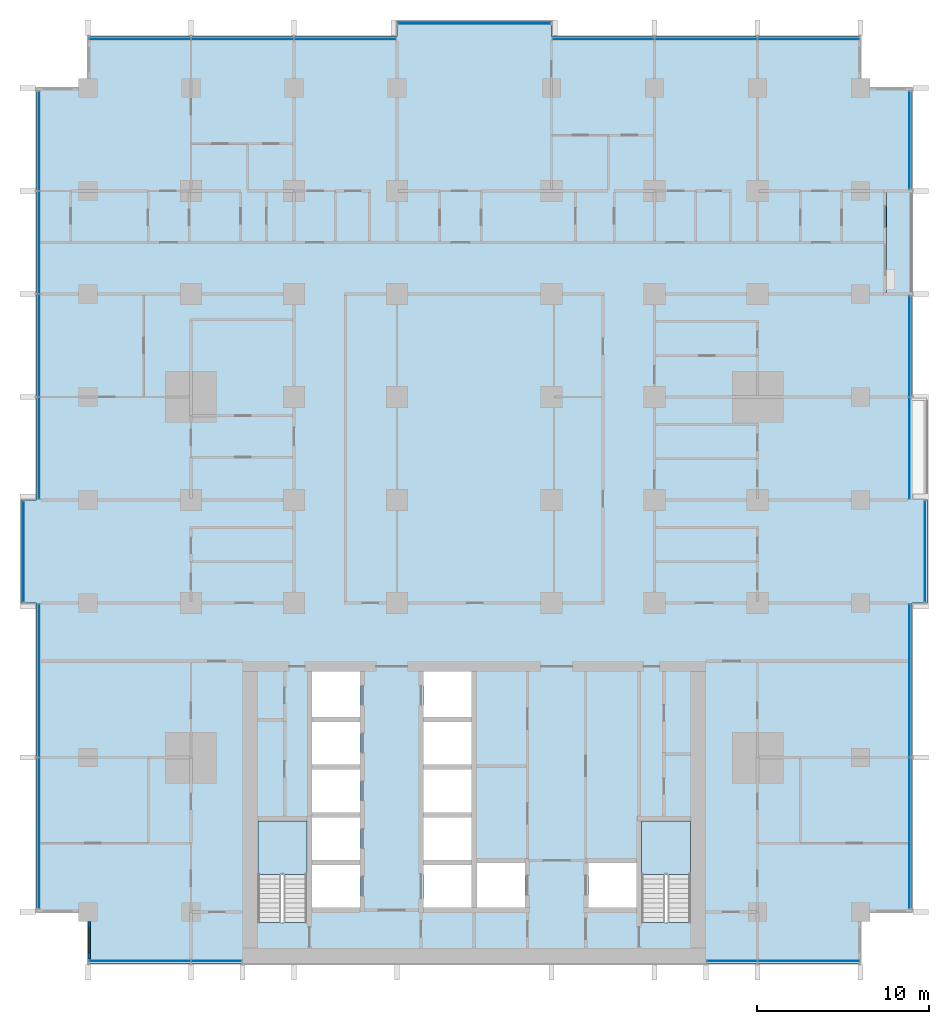
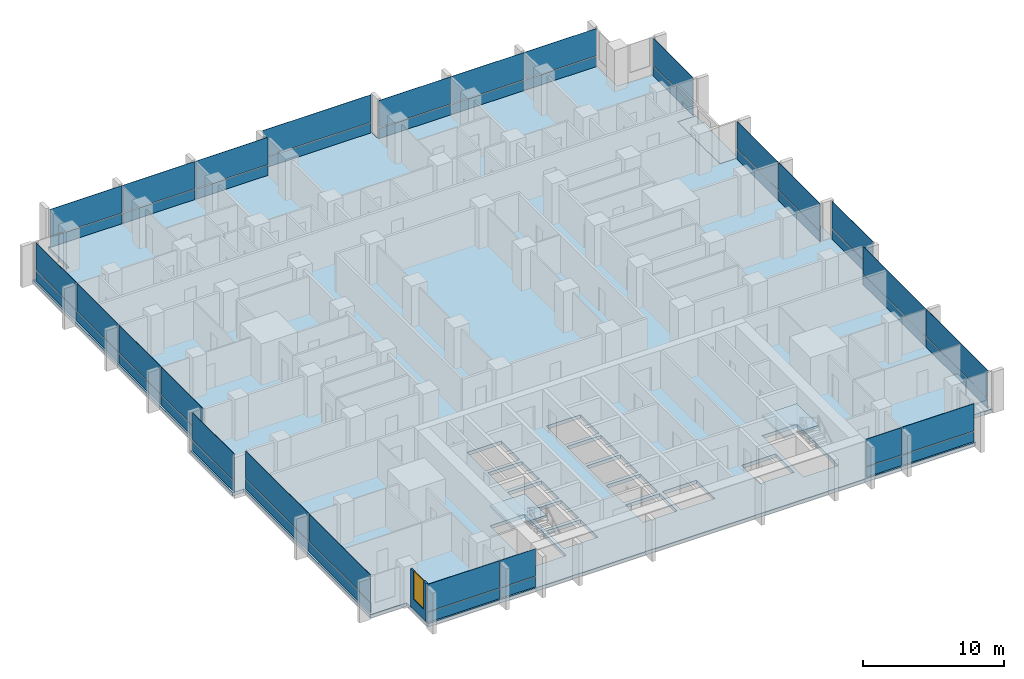
# One storey, part 6 of 18: 48 plates, 4 slabs, 1 wall, 1 window, 1 opening, 14 elements without a shape of their own.
"""IFC4 building model written with IfcOpenShell, lengths in metres."""

from ifc_helpers import new_model, si_unit, direction, frame, frame_2d, origin, origin_2d, place, context, subcontext, project, spatial, polyline, rectangle, outline, extrude, material, layer, layer_set, type_object, element, fill, aggregate, save


model = new_model("IFC4")

# Units and contexts
model_context = context("Model", 3, precision=1e-05, world=origin(), true_north=direction((0.0, 1.0)))
body_context = subcontext(model_context, "Body", "Model", "MODEL_VIEW")
ifc_project = project(units=[si_unit("LENGTHUNIT", "METRE"), si_unit("AREAUNIT", "SQUARE_METRE"), si_unit("VOLUMEUNIT", "CUBIC_METRE"), si_unit("PLANEANGLEUNIT", "RADIAN"), si_unit("MASSUNIT", "GRAM", prefix="KILO")], contexts=[model_context])

# Site, building, storey
site_placement = place(None, origin())
site = spatial("IfcSite", under=ifc_project, at=site_placement, CompositionType="ELEMENT")
building_placement = place(site_placement, origin())
building = spatial("IfcBuilding", under=site, at=building_placement, Name="Finial Court Residences", CompositionType="ELEMENT")
storey_placement = place(building_placement, frame((0.0, 0.0, 54.10009765625)))
storey = spatial("IfcBuildingStorey", under=building, at=storey_placement, Name="L12", CompositionType="ELEMENT", Elevation=54.10009765625)

# Slab
ifc_material_1 = material(Name="Concrete C35/45", Category="concrete")
ifc_layer_1 = layer(ifc_material_1, 0.199951171875)
ifc_layer_set_1 = layer_set([ifc_layer_1], Name="Balcony slab, Concrete C35/45 200")
slab_type_1 = type_object("IfcSlabType", Name="Balcony slab, Concrete C35/45 200", PredefinedType="FLOOR", material=ifc_layer_set_1)
slab_1_placement = place(storey_placement, frame((0.0, 0.0, -0.2001953125)))
element("IfcSlab", 1, at=slab_1_placement, inside=storey, type_object=slab_type_1, Name="Balcony L12-E6", PredefinedType="FLOOR", context=body_context, shape_type="SweptSolid", body=[
    extrude(outline(polyline([(25.5, 13.5), (25.5, 19.5), (24.0, 19.5), (24.0, 13.5), (25.5, 13.5)])), origin(), (0.0, 0.0, 1.0), 0.2001953125),
])

# Curtain wall, plates
ifc_material_2 = material(Name="Bronze anodised aluminium", Category="aluminium")
curtain_wall_type = type_object("IfcCurtainWallType", Name="Unitised curtain wall, lower and middle zones", PredefinedType="NOTDEFINED", material=ifc_material_2)
curtain_wall_1_placement = place(storey_placement, origin())
curtain_wall_1 = element("IfcCurtainWall", 2, at=curtain_wall_1_placement, inside=storey, type_object=curtain_wall_type, Name="E-L12-CW-N1", PredefinedType="NOTDEFINED")
ifc_layer_2 = layer(ifc_material_2, 0.0400390625)
ifc_layer_set_2 = layer_set([ifc_layer_2], Name="CW1 spandrel panel 40")
plate_type_1 = type_object("IfcPlateType", Name="CW1 spandrel panel 40", PredefinedType="CURTAIN_PANEL", material=ifc_layer_set_2)
plate_1_placement = place(storey_placement, frame((-19.48388671875, 28.35009765625, 0.0), z_axis=(0.0, 0.0, 1.0), x_axis=(1.0, 0.0, 0.0)))
plate_1 = element("IfcPlate", 3, at=plate_1_placement, type_object=plate_type_1, Name="CW1 spandrel 1.1", PredefinedType="CURTAIN_PANEL", context=body_context, shape_type="SweptSolid", body=[
    extrude(rectangle(XDim=5.902587890625, YDim=0.0400390625, at=origin_2d()), origin(), (0.0, 0.0, 1.0), 0.867431640625),
])
plate_2_placement = place(storey_placement, frame((-13.5, 28.35009765625, 0.0), z_axis=(0.0, 0.0, 1.0), x_axis=(1.0, 0.0, 0.0)))
plate_2 = element("IfcPlate", 4, at=plate_2_placement, type_object=plate_type_1, Name="CW1 spandrel 2.1", PredefinedType="CURTAIN_PANEL", context=body_context, shape_type="SweptSolid", body=[
    extrude(rectangle(XDim=5.93505859375, YDim=0.0400390625, at=origin_2d()), origin(), (0.0, 0.0, 1.0), 0.867431640625),
])
plate_3_placement = place(storey_placement, frame((-7.51611328125, 28.35009765625, 0.0), z_axis=(0.0, 0.0, 1.0), x_axis=(1.0, 0.0, 0.0)))
plate_3 = element("IfcPlate", 5, at=plate_3_placement, type_object=plate_type_1, Name="CW1 spandrel 3.1", PredefinedType="CURTAIN_PANEL", context=body_context, shape_type="SweptSolid", body=[
    extrude(rectangle(XDim=5.902587890625, YDim=0.0400390625, at=origin_2d()), origin(), (0.0, 0.0, 1.0), 0.867431640625),
])

# Curtain wall, plate
curtain_wall_2_placement = place(storey_placement, origin())
curtain_wall_2 = element("IfcCurtainWall", 6, at=curtain_wall_2_placement, inside=storey, type_object=curtain_wall_type, Name="E-L12-CW-N2", PredefinedType="NOTDEFINED")
plate_4_placement = place(storey_placement, frame((0.0, 29.25, 0.0), z_axis=(0.0, 0.0, 1.0), x_axis=(1.0, 0.0, 0.0)))
plate_4 = element("IfcPlate", 7, at=plate_4_placement, type_object=plate_type_1, Name="CW1 spandrel 1.1", PredefinedType="CURTAIN_PANEL", context=body_context, shape_type="SweptSolid", body=[
    extrude(rectangle(XDim=8.8701171875, YDim=0.0400390625, at=origin_2d()), origin(), (0.0, 0.0, 1.0), 0.867431640625),
])

# Curtain wall, plates
curtain_wall_3_placement = place(storey_placement, origin())
curtain_wall_3 = element("IfcCurtainWall", 8, at=curtain_wall_3_placement, inside=storey, type_object=curtain_wall_type, Name="E-L12-CW-N3", PredefinedType="NOTDEFINED")
plate_5_placement = place(storey_placement, frame((7.51611328125, 28.35009765625, 0.0), z_axis=(0.0, 0.0, 1.0), x_axis=(1.0, 0.0, 0.0)))
plate_5 = element("IfcPlate", 9, at=plate_5_placement, type_object=plate_type_1, Name="CW1 spandrel 1.1", PredefinedType="CURTAIN_PANEL", context=body_context, shape_type="SweptSolid", body=[
    extrude(rectangle(XDim=5.902587890625, YDim=0.0400390625, at=origin_2d()), origin(), (0.0, 0.0, 1.0), 0.867431640625),
])
plate_6_placement = place(storey_placement, frame((13.5, 28.35009765625, 0.0), z_axis=(0.0, 0.0, 1.0), x_axis=(1.0, 0.0, 0.0)))
plate_6 = element("IfcPlate", 10, at=plate_6_placement, type_object=plate_type_1, Name="CW1 spandrel 2.1", PredefinedType="CURTAIN_PANEL", context=body_context, shape_type="SweptSolid", body=[
    extrude(rectangle(XDim=5.93505859375, YDim=0.0400390625, at=origin_2d()), origin(), (0.0, 0.0, 1.0), 0.867431640625),
])
plate_7_placement = place(storey_placement, frame((19.48388671875, 28.35009765625, 0.0), z_axis=(0.0, 0.0, 1.0), x_axis=(1.0, 0.0, 0.0)))
plate_7 = element("IfcPlate", 11, at=plate_7_placement, type_object=plate_type_1, Name="CW1 spandrel 3.1", PredefinedType="CURTAIN_PANEL", context=body_context, shape_type="SweptSolid", body=[
    extrude(rectangle(XDim=5.902587890625, YDim=0.0400390625, at=origin_2d()), origin(), (0.0, 0.0, 1.0), 0.867431640625),
])

curtain_wall_4_placement = place(storey_placement, origin())
curtain_wall_4 = element("IfcCurtainWall", 12, at=curtain_wall_4_placement, inside=storey, type_object=curtain_wall_type, Name="E-L12-CW-E4", PredefinedType="NOTDEFINED")
plate_8_placement = place(storey_placement, frame((25.35009765625, -17.90869140625, 0.0), z_axis=(0.0, 0.0, 1.0), x_axis=(0.0, 1.0, 0.0)))
plate_8 = element("IfcPlate", 13, at=plate_8_placement, type_object=plate_type_1, Name="CW1 spandrel 1.1", PredefinedType="CURTAIN_PANEL", context=body_context, shape_type="SweptSolid", body=[
    extrude(rectangle(XDim=8.75244140625, YDim=0.0400390625, at=origin_2d()), origin(), (0.0, 0.0, 1.0), 0.867431640625),
])
plate_9_placement = place(storey_placement, frame((25.35009765625, -9.01611328125, 0.0), z_axis=(0.0, 0.0, 1.0), x_axis=(0.0, 1.0, 0.0)))
plate_9 = element("IfcPlate", 14, at=plate_9_placement, type_object=plate_type_1, Name="CW1 spandrel 2.1", PredefinedType="CURTAIN_PANEL", context=body_context, shape_type="SweptSolid", body=[
    extrude(rectangle(XDim=8.902587890625, YDim=0.0400390625, at=origin_2d()), origin(), (0.0, 0.0, 1.0), 0.867431640625),
])

# Curtain wall, plate
curtain_wall_5_placement = place(storey_placement, origin())
curtain_wall_5 = element("IfcCurtainWall", 15, at=curtain_wall_5_placement, inside=storey, type_object=curtain_wall_type, Name="E-L12-CW-E5", PredefinedType="NOTDEFINED")
plate_10_placement = place(storey_placement, frame((26.25, -1.5, 0.0), z_axis=(0.0, 0.0, 1.0), x_axis=(0.0, 1.0, 0.0)))
plate_10 = element("IfcPlate", 16, at=plate_10_placement, type_object=plate_type_1, Name="CW1 spandrel 1.1", PredefinedType="CURTAIN_PANEL", context=body_context, shape_type="SweptSolid", body=[
    extrude(rectangle(XDim=5.8701171875, YDim=0.0400390625, at=origin_2d()), origin(), (0.0, 0.0, 1.0), 0.867431640625),
])

# Curtain wall, plates
curtain_wall_6_placement = place(storey_placement, origin())
curtain_wall_6 = element("IfcCurtainWall", 17, at=curtain_wall_6_placement, inside=storey, type_object=curtain_wall_type, Name="E-L12-CW-E6", PredefinedType="NOTDEFINED")
plate_11_placement = place(storey_placement, frame((25.35009765625, 4.516357421875, 0.0), z_axis=(0.0, 0.0, 1.0), x_axis=(0.0, 1.0, 0.0)))
plate_11 = element("IfcPlate", 18, at=plate_11_placement, type_object=plate_type_1, Name="CW1 spandrel 1.1", PredefinedType="CURTAIN_PANEL", context=body_context, shape_type="SweptSolid", body=[
    extrude(rectangle(XDim=5.902587890625, YDim=0.0400390625, at=origin_2d()), origin(), (0.0, 0.0, 1.0), 0.867431640625),
])
plate_12_placement = place(storey_placement, frame((25.35009765625, 10.4462890625, 0.0), z_axis=(0.0, 0.0, 1.0), x_axis=(0.0, 1.0, 0.0)))
plate_12 = element("IfcPlate", 19, at=plate_12_placement, type_object=plate_type_1, Name="CW1 spandrel 2.1", PredefinedType="CURTAIN_PANEL", context=body_context, shape_type="SweptSolid", body=[
    extrude(rectangle(XDim=5.827392578125, YDim=0.0400390625, at=origin_2d()), origin(), (0.0, 0.0, 1.0), 0.867431640625),
])

# Curtain wall, plate
curtain_wall_7_placement = place(storey_placement, origin())
curtain_wall_7 = element("IfcCurtainWall", 20, at=curtain_wall_7_placement, inside=storey, type_object=curtain_wall_type, Name="E-L12-CW-E7", PredefinedType="NOTDEFINED")
plate_13_placement = place(storey_placement, frame((25.35009765625, 22.46240234375, 0.0), z_axis=(0.0, 0.0, 1.0), x_axis=(0.0, 1.0, 0.0)))
plate_13 = element("IfcPlate", 21, at=plate_13_placement, type_object=plate_type_1, Name="CW1 spandrel 1.1", PredefinedType="CURTAIN_PANEL", context=body_context, shape_type="SweptSolid", body=[
    extrude(rectangle(XDim=5.64501953125, YDim=0.0400390625, at=origin_2d()), origin(), (0.0, 0.0, 1.0), 0.867431640625),
])

# Curtain wall, plates
curtain_wall_8_placement = place(storey_placement, origin())
curtain_wall_8 = element("IfcCurtainWall", 22, at=curtain_wall_8_placement, inside=storey, type_object=curtain_wall_type, Name="E-L12-CW-S8", PredefinedType="NOTDEFINED")
plate_14_placement = place(storey_placement, frame((-19.48388671875, -25.35009765625, 0.0), z_axis=(0.0, 0.0, 1.0), x_axis=(1.0, 0.0, 0.0)))
plate_14 = element("IfcPlate", 23, at=plate_14_placement, type_object=plate_type_1, Name="CW1 spandrel 1.1", PredefinedType="CURTAIN_PANEL", context=body_context, shape_type="SweptSolid", body=[
    extrude(rectangle(XDim=5.902587890625, YDim=0.0400390625, at=origin_2d()), origin(), (0.0, 0.0, 1.0), 0.867431640625),
])
plate_15_placement = place(storey_placement, frame((-15.016357421875, -25.35009765625, 0.0), z_axis=(0.0, 0.0, 1.0), x_axis=(1.0, 0.0, 0.0)))
plate_15 = element("IfcPlate", 24, at=plate_15_placement, type_object=plate_type_1, Name="CW1 spandrel 2.1", PredefinedType="CURTAIN_PANEL", context=body_context, shape_type="SweptSolid", body=[
    extrude(rectangle(XDim=2.902587890625, YDim=0.0400390625, at=origin_2d()), origin(), (0.0, 0.0, 1.0), 0.867431640625),
])

curtain_wall_9_placement = place(storey_placement, origin())
curtain_wall_9 = element("IfcCurtainWall", 25, at=curtain_wall_9_placement, inside=storey, type_object=curtain_wall_type, Name="E-L12-CW-S9", PredefinedType="NOTDEFINED")
plate_16_placement = place(storey_placement, frame((15.016357421875, -25.35009765625, 0.0), z_axis=(0.0, 0.0, 1.0), x_axis=(1.0, 0.0, 0.0)))
plate_16 = element("IfcPlate", 26, at=plate_16_placement, type_object=plate_type_1, Name="CW1 spandrel 1.1", PredefinedType="CURTAIN_PANEL", context=body_context, shape_type="SweptSolid", body=[
    extrude(rectangle(XDim=2.902587890625, YDim=0.0400390625, at=origin_2d()), origin(), (0.0, 0.0, 1.0), 0.867431640625),
])
plate_17_placement = place(storey_placement, frame((19.48388671875, -25.35009765625, 0.0), z_axis=(0.0, 0.0, 1.0), x_axis=(1.0, 0.0, 0.0)))
plate_17 = element("IfcPlate", 27, at=plate_17_placement, type_object=plate_type_1, Name="CW1 spandrel 2.1", PredefinedType="CURTAIN_PANEL", context=body_context, shape_type="SweptSolid", body=[
    extrude(rectangle(XDim=5.902587890625, YDim=0.0400390625, at=origin_2d()), origin(), (0.0, 0.0, 1.0), 0.867431640625),
])

curtain_wall_10_placement = place(storey_placement, origin())
curtain_wall_10 = element("IfcCurtainWall", 28, at=curtain_wall_10_placement, inside=storey, type_object=curtain_wall_type, Name="E-L12-CW-W10", PredefinedType="NOTDEFINED")
plate_18_placement = place(storey_placement, frame((-25.35009765625, -17.90869140625, 0.0), z_axis=(0.0, 0.0, 1.0), x_axis=(0.0, 1.0, 0.0)))
plate_18 = element("IfcPlate", 29, at=plate_18_placement, type_object=plate_type_1, Name="CW1 spandrel 1.1", PredefinedType="CURTAIN_PANEL", context=body_context, shape_type="SweptSolid", body=[
    extrude(rectangle(XDim=8.75244140625, YDim=0.0400390625, at=origin_2d()), origin(), (0.0, 0.0, 1.0), 0.867431640625),
])
plate_19_placement = place(storey_placement, frame((-25.35009765625, -9.01611328125, 0.0), z_axis=(0.0, 0.0, 1.0), x_axis=(0.0, 1.0, 0.0)))
plate_19 = element("IfcPlate", 30, at=plate_19_placement, type_object=plate_type_1, Name="CW1 spandrel 2.1", PredefinedType="CURTAIN_PANEL", context=body_context, shape_type="SweptSolid", body=[
    extrude(rectangle(XDim=8.902587890625, YDim=0.0400390625, at=origin_2d()), origin(), (0.0, 0.0, 1.0), 0.867431640625),
])

# Curtain wall, plate
curtain_wall_11_placement = place(storey_placement, origin())
curtain_wall_11 = element("IfcCurtainWall", 31, at=curtain_wall_11_placement, inside=storey, type_object=curtain_wall_type, Name="E-L12-CW-W11", PredefinedType="NOTDEFINED")
plate_20_placement = place(storey_placement, frame((-26.25, -1.5, 0.0), z_axis=(0.0, 0.0, 1.0), x_axis=(0.0, 1.0, 0.0)))
plate_20 = element("IfcPlate", 32, at=plate_20_placement, type_object=plate_type_1, Name="CW1 spandrel 1.1", PredefinedType="CURTAIN_PANEL", context=body_context, shape_type="SweptSolid", body=[
    extrude(rectangle(XDim=5.8701171875, YDim=0.0400390625, at=origin_2d()), origin(), (0.0, 0.0, 1.0), 0.867431640625),
])

# Curtain wall, plates
curtain_wall_12_placement = place(storey_placement, origin())
curtain_wall_12 = element("IfcCurtainWall", 33, at=curtain_wall_12_placement, inside=storey, type_object=curtain_wall_type, Name="E-L12-CW-W12", PredefinedType="NOTDEFINED")
plate_21_placement = place(storey_placement, frame((-25.35009765625, 4.516357421875, 0.0), z_axis=(0.0, 0.0, 1.0), x_axis=(0.0, 1.0, 0.0)))
plate_21 = element("IfcPlate", 34, at=plate_21_placement, type_object=plate_type_1, Name="CW1 spandrel 1.1", PredefinedType="CURTAIN_PANEL", context=body_context, shape_type="SweptSolid", body=[
    extrude(rectangle(XDim=5.902587890625, YDim=0.0400390625, at=origin_2d()), origin(), (0.0, 0.0, 1.0), 0.867431640625),
])
plate_22_placement = place(storey_placement, frame((-25.35009765625, 10.5, 0.0), z_axis=(0.0, 0.0, 1.0), x_axis=(0.0, 1.0, 0.0)))
plate_22 = element("IfcPlate", 35, at=plate_22_placement, type_object=plate_type_1, Name="CW1 spandrel 2.1", PredefinedType="CURTAIN_PANEL", context=body_context, shape_type="SweptSolid", body=[
    extrude(rectangle(XDim=5.93505859375, YDim=0.0400390625, at=origin_2d()), origin(), (0.0, 0.0, 1.0), 0.867431640625),
])
plate_23_placement = place(storey_placement, frame((-25.35009765625, 16.5, 0.0), z_axis=(0.0, 0.0, 1.0), x_axis=(0.0, 1.0, 0.0)))
plate_23 = element("IfcPlate", 36, at=plate_23_placement, type_object=plate_type_1, Name="CW1 spandrel 3.1", PredefinedType="CURTAIN_PANEL", context=body_context, shape_type="SweptSolid", body=[
    extrude(rectangle(XDim=5.93505859375, YDim=0.0400390625, at=origin_2d()), origin(), (0.0, 0.0, 1.0), 0.867431640625),
])
plate_24_placement = place(storey_placement, frame((-25.35009765625, 22.40869140625, 0.0), z_axis=(0.0, 0.0, 1.0), x_axis=(0.0, 1.0, 0.0)))
plate_24 = element("IfcPlate", 37, at=plate_24_placement, type_object=plate_type_1, Name="CW1 spandrel 4.1", PredefinedType="CURTAIN_PANEL", context=body_context, shape_type="SweptSolid", body=[
    extrude(rectangle(XDim=5.75244140625, YDim=0.0400390625, at=origin_2d()), origin(), (0.0, 0.0, 1.0), 0.867431640625),
])

# Plate
ifc_material_3 = material(Name="Clear low-e glass", Category="glass")
ifc_layer_3 = layer(ifc_material_3, 0.031982421875)
ifc_layer_set_3 = layer_set([ifc_layer_3], Name="CW1 vision glass 32")
plate_type_2 = type_object("IfcPlateType", Name="CW1 vision glass 32", PredefinedType="CURTAIN_PANEL", material=ifc_layer_set_3)
plate_25_placement = place(storey_placement, frame((-19.48388671875, 28.35009765625, 0.9326171875), z_axis=(0.0, 0.0, 1.0), x_axis=(1.0, 0.0, 0.0)))
plate_25 = element("IfcPlate", 38, at=plate_25_placement, type_object=plate_type_2, Name="CW1 glass 1.2", PredefinedType="CURTAIN_PANEL", context=body_context, shape_type="SweptSolid", body=[
    extrude(rectangle(XDim=5.902587890625, YDim=0.031982421875, at=origin_2d()), origin(), (0.0, 0.0, 1.0), 2.367431640625),
])

plate_26_placement = place(storey_placement, frame((-13.5, 28.35009765625, 0.9326171875), z_axis=(0.0, 0.0, 1.0), x_axis=(1.0, 0.0, 0.0)))
plate_26 = element("IfcPlate", 39, at=plate_26_placement, type_object=plate_type_2, Name="CW1 glass 2.2", PredefinedType="CURTAIN_PANEL", context=body_context, shape_type="SweptSolid", body=[
    extrude(rectangle(XDim=5.93505859375, YDim=0.031982421875, at=origin_2d()), origin(), (0.0, 0.0, 1.0), 2.367431640625),
])

plate_27_placement = place(storey_placement, frame((-7.51611328125, 28.35009765625, 0.9326171875), z_axis=(0.0, 0.0, 1.0), x_axis=(1.0, 0.0, 0.0)))
plate_27 = element("IfcPlate", 40, at=plate_27_placement, type_object=plate_type_2, Name="CW1 glass 3.2", PredefinedType="CURTAIN_PANEL", context=body_context, shape_type="SweptSolid", body=[
    extrude(rectangle(XDim=5.902587890625, YDim=0.031982421875, at=origin_2d()), origin(), (0.0, 0.0, 1.0), 2.367431640625),
])

aggregate(curtain_wall_1, [plate_1, plate_25, plate_2, plate_26, plate_3, plate_27])

plate_28_placement = place(storey_placement, frame((0.0, 29.25, 0.9326171875), z_axis=(0.0, 0.0, 1.0), x_axis=(1.0, 0.0, 0.0)))
plate_28 = element("IfcPlate", 41, at=plate_28_placement, type_object=plate_type_2, Name="CW1 glass 1.2", PredefinedType="CURTAIN_PANEL", context=body_context, shape_type="SweptSolid", body=[
    extrude(rectangle(XDim=8.8701171875, YDim=0.031982421875, at=origin_2d()), origin(), (0.0, 0.0, 1.0), 2.367431640625),
])

aggregate(curtain_wall_2, [plate_4, plate_28])

plate_29_placement = place(storey_placement, frame((7.51611328125, 28.35009765625, 0.9326171875), z_axis=(0.0, 0.0, 1.0), x_axis=(1.0, 0.0, 0.0)))
plate_29 = element("IfcPlate", 42, at=plate_29_placement, type_object=plate_type_2, Name="CW1 glass 1.2", PredefinedType="CURTAIN_PANEL", context=body_context, shape_type="SweptSolid", body=[
    extrude(rectangle(XDim=5.902587890625, YDim=0.031982421875, at=origin_2d()), origin(), (0.0, 0.0, 1.0), 2.367431640625),
])

plate_30_placement = place(storey_placement, frame((13.5, 28.35009765625, 0.9326171875), z_axis=(0.0, 0.0, 1.0), x_axis=(1.0, 0.0, 0.0)))
plate_30 = element("IfcPlate", 43, at=plate_30_placement, type_object=plate_type_2, Name="CW1 glass 2.2", PredefinedType="CURTAIN_PANEL", context=body_context, shape_type="SweptSolid", body=[
    extrude(rectangle(XDim=5.93505859375, YDim=0.031982421875, at=origin_2d()), origin(), (0.0, 0.0, 1.0), 2.367431640625),
])

plate_31_placement = place(storey_placement, frame((19.48388671875, 28.35009765625, 0.9326171875), z_axis=(0.0, 0.0, 1.0), x_axis=(1.0, 0.0, 0.0)))
plate_31 = element("IfcPlate", 44, at=plate_31_placement, type_object=plate_type_2, Name="CW1 glass 3.2", PredefinedType="CURTAIN_PANEL", context=body_context, shape_type="SweptSolid", body=[
    extrude(rectangle(XDim=5.902587890625, YDim=0.031982421875, at=origin_2d()), origin(), (0.0, 0.0, 1.0), 2.367431640625),
])

aggregate(curtain_wall_3, [plate_5, plate_29, plate_6, plate_30, plate_7, plate_31])

plate_32_placement = place(storey_placement, frame((25.35009765625, -17.90869140625, 0.9326171875), z_axis=(0.0, 0.0, 1.0), x_axis=(0.0, 1.0, 0.0)))
plate_32 = element("IfcPlate", 45, at=plate_32_placement, type_object=plate_type_2, Name="CW1 glass 1.2", PredefinedType="CURTAIN_PANEL", context=body_context, shape_type="SweptSolid", body=[
    extrude(rectangle(XDim=8.75244140625, YDim=0.031982421875, at=origin_2d()), origin(), (0.0, 0.0, 1.0), 2.367431640625),
])

plate_33_placement = place(storey_placement, frame((25.35009765625, -9.01611328125, 0.9326171875), z_axis=(0.0, 0.0, 1.0), x_axis=(0.0, 1.0, 0.0)))
plate_33 = element("IfcPlate", 46, at=plate_33_placement, type_object=plate_type_2, Name="CW1 glass 2.2", PredefinedType="CURTAIN_PANEL", context=body_context, shape_type="SweptSolid", body=[
    extrude(rectangle(XDim=8.902587890625, YDim=0.031982421875, at=origin_2d()), origin(), (0.0, 0.0, 1.0), 2.367431640625),
])

aggregate(curtain_wall_4, [plate_8, plate_32, plate_9, plate_33])

plate_34_placement = place(storey_placement, frame((26.25, -1.5, 0.9326171875), z_axis=(0.0, 0.0, 1.0), x_axis=(0.0, 1.0, 0.0)))
plate_34 = element("IfcPlate", 47, at=plate_34_placement, type_object=plate_type_2, Name="CW1 glass 1.2", PredefinedType="CURTAIN_PANEL", context=body_context, shape_type="SweptSolid", body=[
    extrude(rectangle(XDim=5.8701171875, YDim=0.031982421875, at=origin_2d()), origin(), (0.0, 0.0, 1.0), 2.367431640625),
])

aggregate(curtain_wall_5, [plate_10, plate_34])

plate_35_placement = place(storey_placement, frame((25.35009765625, 4.516357421875, 0.9326171875), z_axis=(0.0, 0.0, 1.0), x_axis=(0.0, 1.0, 0.0)))
plate_35 = element("IfcPlate", 48, at=plate_35_placement, type_object=plate_type_2, Name="CW1 glass 1.2", PredefinedType="CURTAIN_PANEL", context=body_context, shape_type="SweptSolid", body=[
    extrude(rectangle(XDim=5.902587890625, YDim=0.031982421875, at=origin_2d()), origin(), (0.0, 0.0, 1.0), 2.367431640625),
])

plate_36_placement = place(storey_placement, frame((25.35009765625, 10.4462890625, 0.9326171875), z_axis=(0.0, 0.0, 1.0), x_axis=(0.0, 1.0, 0.0)))
plate_36 = element("IfcPlate", 49, at=plate_36_placement, type_object=plate_type_2, Name="CW1 glass 2.2", PredefinedType="CURTAIN_PANEL", context=body_context, shape_type="SweptSolid", body=[
    extrude(rectangle(XDim=5.827392578125, YDim=0.031982421875, at=origin_2d()), origin(), (0.0, 0.0, 1.0), 2.367431640625),
])

aggregate(curtain_wall_6, [plate_11, plate_35, plate_12, plate_36])

plate_37_placement = place(storey_placement, frame((25.35009765625, 22.46240234375, 0.9326171875), z_axis=(0.0, 0.0, 1.0), x_axis=(0.0, 1.0, 0.0)))
plate_37 = element("IfcPlate", 50, at=plate_37_placement, type_object=plate_type_2, Name="CW1 glass 1.2", PredefinedType="CURTAIN_PANEL", context=body_context, shape_type="SweptSolid", body=[
    extrude(rectangle(XDim=5.64501953125, YDim=0.031982421875, at=origin_2d()), origin(), (0.0, 0.0, 1.0), 2.367431640625),
])

aggregate(curtain_wall_7, [plate_13, plate_37])

plate_38_placement = place(storey_placement, frame((-19.48388671875, -25.35009765625, 0.9326171875), z_axis=(0.0, 0.0, 1.0), x_axis=(1.0, 0.0, 0.0)))
plate_38 = element("IfcPlate", 51, at=plate_38_placement, type_object=plate_type_2, Name="CW1 glass 1.2", PredefinedType="CURTAIN_PANEL", context=body_context, shape_type="SweptSolid", body=[
    extrude(rectangle(XDim=5.902587890625, YDim=0.031982421875, at=origin_2d()), origin(), (0.0, 0.0, 1.0), 2.367431640625),
])

plate_39_placement = place(storey_placement, frame((-15.016357421875, -25.35009765625, 0.9326171875), z_axis=(0.0, 0.0, 1.0), x_axis=(1.0, 0.0, 0.0)))
plate_39 = element("IfcPlate", 52, at=plate_39_placement, type_object=plate_type_2, Name="CW1 glass 2.2", PredefinedType="CURTAIN_PANEL", context=body_context, shape_type="SweptSolid", body=[
    extrude(rectangle(XDim=2.902587890625, YDim=0.031982421875, at=origin_2d()), origin(), (0.0, 0.0, 1.0), 2.367431640625),
])

aggregate(curtain_wall_8, [plate_14, plate_38, plate_15, plate_39])

plate_40_placement = place(storey_placement, frame((15.016357421875, -25.35009765625, 0.9326171875), z_axis=(0.0, 0.0, 1.0), x_axis=(1.0, 0.0, 0.0)))
plate_40 = element("IfcPlate", 53, at=plate_40_placement, type_object=plate_type_2, Name="CW1 glass 1.2", PredefinedType="CURTAIN_PANEL", context=body_context, shape_type="SweptSolid", body=[
    extrude(rectangle(XDim=2.902587890625, YDim=0.031982421875, at=origin_2d()), origin(), (0.0, 0.0, 1.0), 2.367431640625),
])

plate_41_placement = place(storey_placement, frame((19.48388671875, -25.35009765625, 0.9326171875), z_axis=(0.0, 0.0, 1.0), x_axis=(1.0, 0.0, 0.0)))
plate_41 = element("IfcPlate", 54, at=plate_41_placement, type_object=plate_type_2, Name="CW1 glass 2.2", PredefinedType="CURTAIN_PANEL", context=body_context, shape_type="SweptSolid", body=[
    extrude(rectangle(XDim=5.902587890625, YDim=0.031982421875, at=origin_2d()), origin(), (0.0, 0.0, 1.0), 2.367431640625),
])

aggregate(curtain_wall_9, [plate_16, plate_40, plate_17, plate_41])

plate_42_placement = place(storey_placement, frame((-25.35009765625, -17.90869140625, 0.9326171875), z_axis=(0.0, 0.0, 1.0), x_axis=(0.0, 1.0, 0.0)))
plate_42 = element("IfcPlate", 55, at=plate_42_placement, type_object=plate_type_2, Name="CW1 glass 1.2", PredefinedType="CURTAIN_PANEL", context=body_context, shape_type="SweptSolid", body=[
    extrude(rectangle(XDim=8.75244140625, YDim=0.031982421875, at=origin_2d()), origin(), (0.0, 0.0, 1.0), 2.367431640625),
])

plate_43_placement = place(storey_placement, frame((-25.35009765625, -9.01611328125, 0.9326171875), z_axis=(0.0, 0.0, 1.0), x_axis=(0.0, 1.0, 0.0)))
plate_43 = element("IfcPlate", 56, at=plate_43_placement, type_object=plate_type_2, Name="CW1 glass 2.2", PredefinedType="CURTAIN_PANEL", context=body_context, shape_type="SweptSolid", body=[
    extrude(rectangle(XDim=8.902587890625, YDim=0.031982421875, at=origin_2d()), origin(), (0.0, 0.0, 1.0), 2.367431640625),
])

aggregate(curtain_wall_10, [plate_18, plate_42, plate_19, plate_43])

plate_44_placement = place(storey_placement, frame((-26.25, -1.5, 0.9326171875), z_axis=(0.0, 0.0, 1.0), x_axis=(0.0, 1.0, 0.0)))
plate_44 = element("IfcPlate", 57, at=plate_44_placement, type_object=plate_type_2, Name="CW1 glass 1.2", PredefinedType="CURTAIN_PANEL", context=body_context, shape_type="SweptSolid", body=[
    extrude(rectangle(XDim=5.8701171875, YDim=0.031982421875, at=origin_2d()), origin(), (0.0, 0.0, 1.0), 2.367431640625),
])

aggregate(curtain_wall_11, [plate_20, plate_44])

plate_45_placement = place(storey_placement, frame((-25.35009765625, 4.516357421875, 0.9326171875), z_axis=(0.0, 0.0, 1.0), x_axis=(0.0, 1.0, 0.0)))
plate_45 = element("IfcPlate", 58, at=plate_45_placement, type_object=plate_type_2, Name="CW1 glass 1.2", PredefinedType="CURTAIN_PANEL", context=body_context, shape_type="SweptSolid", body=[
    extrude(rectangle(XDim=5.902587890625, YDim=0.031982421875, at=origin_2d()), origin(), (0.0, 0.0, 1.0), 2.367431640625),
])

plate_46_placement = place(storey_placement, frame((-25.35009765625, 10.5, 0.9326171875), z_axis=(0.0, 0.0, 1.0), x_axis=(0.0, 1.0, 0.0)))
plate_46 = element("IfcPlate", 59, at=plate_46_placement, type_object=plate_type_2, Name="CW1 glass 2.2", PredefinedType="CURTAIN_PANEL", context=body_context, shape_type="SweptSolid", body=[
    extrude(rectangle(XDim=5.93505859375, YDim=0.031982421875, at=origin_2d()), origin(), (0.0, 0.0, 1.0), 2.367431640625),
])

plate_47_placement = place(storey_placement, frame((-25.35009765625, 16.5, 0.9326171875), z_axis=(0.0, 0.0, 1.0), x_axis=(0.0, 1.0, 0.0)))
plate_47 = element("IfcPlate", 60, at=plate_47_placement, type_object=plate_type_2, Name="CW1 glass 3.2", PredefinedType="CURTAIN_PANEL", context=body_context, shape_type="SweptSolid", body=[
    extrude(rectangle(XDim=5.93505859375, YDim=0.031982421875, at=origin_2d()), origin(), (0.0, 0.0, 1.0), 2.367431640625),
])

plate_48_placement = place(storey_placement, frame((-25.35009765625, 22.40869140625, 0.9326171875), z_axis=(0.0, 0.0, 1.0), x_axis=(0.0, 1.0, 0.0)))
plate_48 = element("IfcPlate", 61, at=plate_48_placement, type_object=plate_type_2, Name="CW1 glass 4.2", PredefinedType="CURTAIN_PANEL", context=body_context, shape_type="SweptSolid", body=[
    extrude(rectangle(XDim=5.75244140625, YDim=0.031982421875, at=origin_2d()), origin(), (0.0, 0.0, 1.0), 2.367431640625),
])

aggregate(curtain_wall_12, [plate_21, plate_45, plate_22, plate_46, plate_23, plate_47, plate_24, plate_48])

# Stair, slab
ifc_material_4 = material(Name="Concrete C50/60", Category="concrete")
stair_type = type_object("IfcStairType", Name="Exit stair 22 risers of 163.6 mm", PredefinedType="HALF_TURN_STAIR", material=ifc_material_4)
stair_1_placement = place(storey_placement, origin())
stair_1 = element("IfcStair", 62, at=stair_1_placement, inside=storey, type_object=stair_type, Name="L12 Exit stair ST-1", PredefinedType="HALF_TURN_STAIR")
ifc_layer_4 = layer(ifc_material_4, 0.199951171875)
ifc_layer_set_4 = layer_set([ifc_layer_4], Name="Exit stair landing")
slab_type_2 = type_object("IfcSlabType", Name="Exit stair landing", PredefinedType="LANDING", material=ifc_layer_set_4)
slab_2_placement = place(storey_placement, frame((0.0, 0.0, 1.599853515625)))
slab_2 = element("IfcSlab", 63, at=slab_2_placement, type_object=slab_type_2, Name="ST-1 landing 1", PredefinedType="LANDING", context=body_context, shape_type="SweptSolid", body=[
    extrude(outline(polyline([(-9.75, -20.300048828125), (-9.75, -17.199951171875), (-12.60009765625, -17.199951171875), (-12.60009765625, -20.300048828125), (-9.75, -20.300048828125)])), origin(), (0.0, 0.0, 1.0), 0.199951171875),
])
aggregate(stair_1, [slab_2])

stair_2_placement = place(storey_placement, origin())
stair_2 = element("IfcStair", 64, at=stair_2_placement, inside=storey, type_object=stair_type, Name="L12 Exit stair ST-2", PredefinedType="HALF_TURN_STAIR")
slab_3_placement = place(storey_placement, frame((0.0, 0.0, 1.599853515625)))
slab_3 = element("IfcSlab", 65, at=slab_3_placement, type_object=slab_type_2, Name="ST-2 landing 1", PredefinedType="LANDING", context=body_context, shape_type="SweptSolid", body=[
    extrude(outline(polyline([(12.60009765625, -20.300048828125), (12.60009765625, -17.199951171875), (9.75, -17.199951171875), (9.75, -20.300048828125), (12.60009765625, -20.300048828125)])), origin(), (0.0, 0.0, 1.0), 0.199951171875),
])
aggregate(stair_2, [slab_3])

# Slab
ifc_material_5 = material(Name="Concrete C40/50", Category="concrete")
ifc_layer_5 = layer(ifc_material_5, 0.300048828125)
ifc_layer_set_5 = layer_set([ifc_layer_5], Name="Flat plate slab 300 Concrete C40/50")
slab_type_3 = type_object("IfcSlabType", Name="Flat plate slab 300 Concrete C40/50", PredefinedType="FLOOR", material=ifc_layer_set_5)
slab_4_placement = place(storey_placement, frame((0.0, 0.0, -0.300048828125)))
element("IfcSlab", 66, at=slab_4_placement, inside=storey, type_object=slab_type_3, Name="S:SLAB:L12", PredefinedType="FLOOR", context=body_context, shape_type="SweptSolid", body=[
    extrude(outline(polyline([(-22.5, 28.5), (-4.5, 28.5), (-4.5, 29.39990234375), (4.5, 29.39990234375), (4.5, 28.5), (22.5, 28.5), (22.5, 25.5), (25.5, 25.5), (25.5, 19.5), (24.0, 19.5), (24.0, 13.5), (25.5, 13.5), (25.5, 7.5), (26.39990234375, 7.5), (26.39990234375, 1.5), (26.39990234375, -4.5), (25.5, -4.5), (25.5, -22.5), (22.5, -22.5), (22.5, -25.5), (-22.5, -25.5), (-22.5, -22.5), (-25.5, -22.5), (-25.5, -4.5), (-26.39990234375, -4.5), (-26.39990234375, 1.5), (-25.5, 1.5), (-25.5, 25.5), (-22.5, 25.5), (-22.5, 28.5)]), holes=[polyline([(-6.64990234375, -19.77001953125), (-9.449951171875, -19.77001953125), (-9.449951171875, -22.25), (-6.64990234375, -22.25), (-6.64990234375, -19.77001953125)]), polyline([(-9.75, -17.199951171875), (-12.60009765625, -17.199951171875), (-12.60009765625, -23.09912109375), (-9.75, -23.09912109375), (-9.75, -17.199951171875)]), polyline([(-6.64990234375, -19.469970703125), (-6.64990234375, -16.989990234375), (-9.449951171875, -16.989990234375), (-9.449951171875, -19.469970703125), (-6.64990234375, -19.469970703125)]), polyline([(-6.64990234375, -16.68994140625), (-6.64990234375, -14.2099609375), (-9.449951171875, -14.2099609375), (-9.449951171875, -16.68994140625), (-6.64990234375, -16.68994140625)]), polyline([(-6.64990234375, -13.909912109375), (-6.64990234375, -11.429931640625), (-9.449951171875, -11.429931640625), (-9.449951171875, -13.909912109375), (-6.64990234375, -13.909912109375)]), polyline([(-6.64990234375, -11.1298828125), (-6.64990234375, -8.5), (-9.449951171875, -8.5), (-9.449951171875, -11.1298828125), (-6.64990234375, -11.1298828125)]), polyline([(-0.14990234375, -11.1298828125), (-0.14990234375, -8.5), (-2.949951171875, -8.5), (-2.949951171875, -11.1298828125), (-0.14990234375, -11.1298828125)]), polyline([(-0.14990234375, -19.77001953125), (-2.949951171875, -19.77001953125), (-2.949951171875, -22.25), (-0.14990234375, -22.25), (-0.14990234375, -19.77001953125)]), polyline([(2.949951171875, -22.25), (2.949951171875, -19.64990234375), (0.14990234375, -19.64990234375), (0.14990234375, -22.25), (2.949951171875, -22.25)]), polyline([(9.449951171875, -22.25), (9.449951171875, -19.64990234375), (6.64990234375, -19.64990234375), (6.64990234375, -22.25), (9.449951171875, -22.25)]), polyline([(12.60009765625, -17.199951171875), (9.75, -17.199951171875), (9.75, -23.09912109375), (12.60009765625, -23.09912109375), (12.60009765625, -17.199951171875)]), polyline([(-0.14990234375, -19.469970703125), (-0.14990234375, -16.989990234375), (-2.949951171875, -16.989990234375), (-2.949951171875, -19.469970703125), (-0.14990234375, -19.469970703125)]), polyline([(-0.14990234375, -16.68994140625), (-0.14990234375, -14.2099609375), (-2.949951171875, -14.2099609375), (-2.949951171875, -16.68994140625), (-0.14990234375, -16.68994140625)]), polyline([(-0.14990234375, -13.909912109375), (-0.14990234375, -11.429931640625), (-2.949951171875, -11.429931640625), (-2.949951171875, -13.909912109375), (-0.14990234375, -13.909912109375)])]), origin(), (0.0, 0.0, 1.0), 0.300048828125),
])

# Wall, opening, window
ifc_material_6 = material(Name="Natural limestone", Category="masonry")
ifc_layer_6 = layer(ifc_material_6, 0.14990234375)
ifc_layer_set_6 = layer_set([ifc_layer_6], Name="Limestone clad wall 150")
wall_type = type_object("IfcWallType", Name="Limestone clad wall 150", PredefinedType="SOLIDWALL", material=ifc_layer_set_6)
wall_placement = place(storey_placement, frame((-22.425048828125, -25.25, 0.0), z_axis=(0.0, 0.0, 1.0), x_axis=(0.0, 1.0, 0.0)))
wall = element("IfcWall", 67, at=wall_placement, inside=storey, type_object=wall_type, Name="E-L12-NWW13", PredefinedType="SOLIDWALL", context=body_context, shape_type="SweptSolid", body=[
    extrude(rectangle(XDim=2.199951171875, YDim=0.14990234375, at=frame_2d((1.10009765625, 0.0))), origin(), (0.0, 0.0, 1.0), 3.2998046875),
])
opening_placement = place(wall_placement, frame((0.39990234375, 0.0, 0.89990234375)))
opening = element("IfcOpeningElement", 68, at=opening_placement, cuts=wall, Name="Opening WE12-01", PredefinedType="OPENING", context=body_context, shape_type="SweptSolid", body=[
    extrude(rectangle(XDim=1.39990234375, YDim=2.39990234375, at=frame_2d((0.699951171875, 1.199951171875))), frame((0.0, 0.0849609375, 0.0), z_axis=(0.0, -1.0, 0.0), x_axis=(1.0, 0.0, 0.0)), (0.0, 0.0, 1.0), 0.169921875),
])
window_type = type_object("IfcWindowType", Name="Corner window 1400 x 2400", PartitioningType="SINGLE_PANEL", PredefinedType="WINDOW", material=ifc_material_3)
window_placement = place(opening_placement, origin())
window = element("IfcWindow", 69, at=window_placement, inside=storey, type_object=window_type, Name="E-L12-NWW13-W1", OverallHeight=2.39990234375, OverallWidth=1.39990234375, PartitioningType="SINGLE_PANEL", PredefinedType="WINDOW", context=body_context, shape_type="SweptSolid", body=[
    extrude(rectangle(XDim=1.39990234375, YDim=2.39990234375, at=frame_2d((0.699951171875, 1.199951171875))), frame((0.0, 0.030029296875, 0.0), z_axis=(0.0, -1.0, 0.0), x_axis=(1.0, 0.0, 0.0)), (0.0, 0.0, 1.0), 0.06005859375),
])
fill(opening, window)

save(model, "model.ifc")
